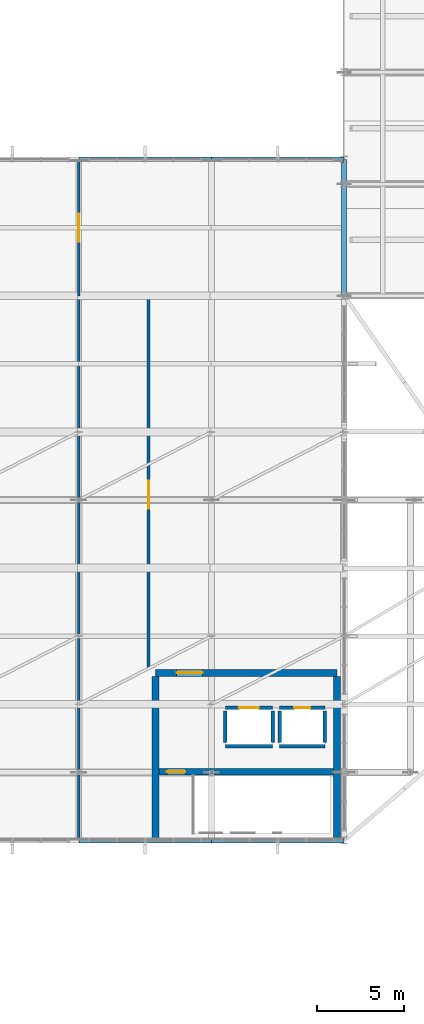
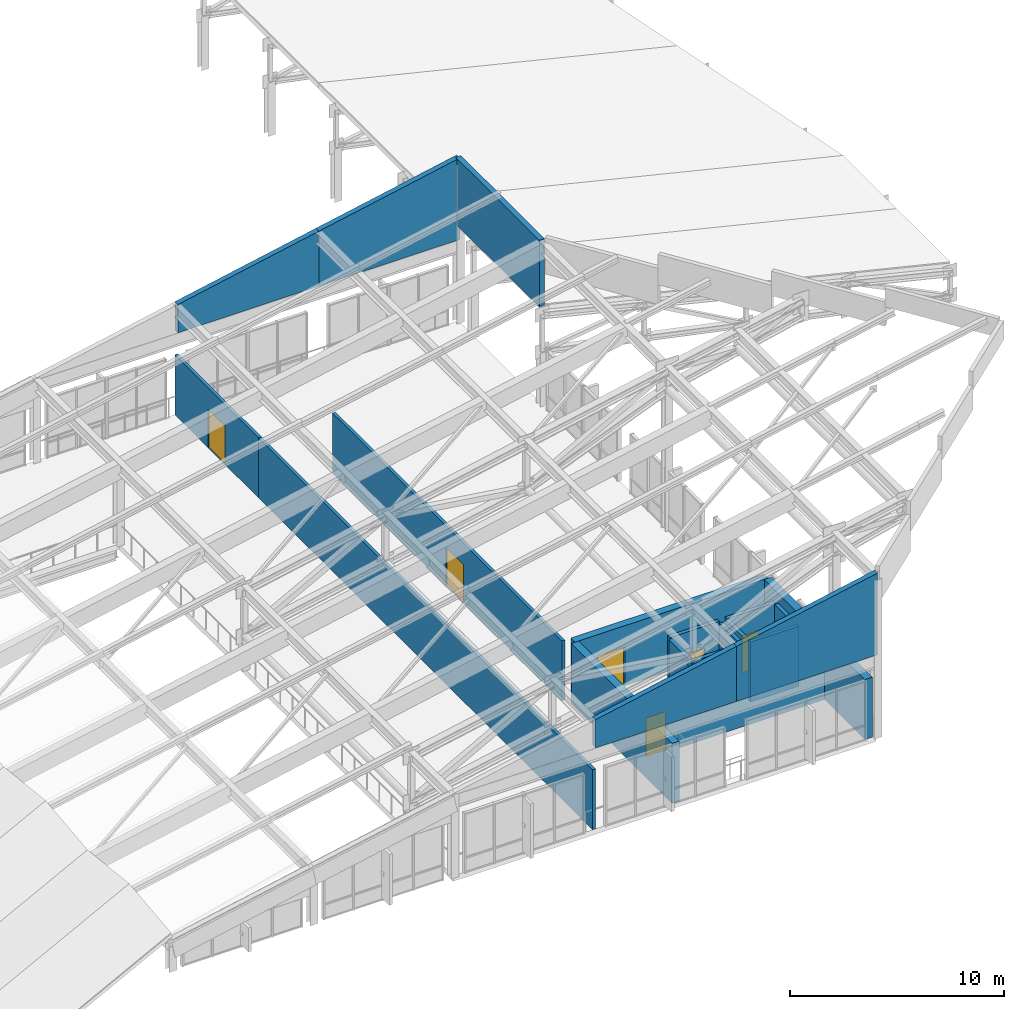
# One storey, part 55 of 73: 20 walls, 6 doors, 6 openings.
"""IFC4 building model written with IfcOpenShell, lengths in metres."""

from ifc_helpers import new_model, si_unit, direction, frame, frame_2d, origin, place, context, subcontext, project, spatial, polyline, rectangle, outline, extrude, material, layer, layer_set, type_object, element, fill, save


model = new_model("IFC4")

# Units and contexts
model_context = context("Model", 3, precision=1e-05, world=origin(), true_north=direction((0.0, 1.0)))
body_context = subcontext(model_context, "Body", "Model", "MODEL_VIEW")
ifc_project = project(units=[si_unit("LENGTHUNIT", "METRE"), si_unit("AREAUNIT", "SQUARE_METRE"), si_unit("VOLUMEUNIT", "CUBIC_METRE"), si_unit("PLANEANGLEUNIT", "RADIAN"), si_unit("MASSUNIT", "GRAM", prefix="KILO")], contexts=[model_context])

# Site, building, storey
site_placement = place(None, origin())
site = spatial("IfcSite", under=ifc_project, at=site_placement, CompositionType="ELEMENT")
building_placement = place(site_placement, origin())
building = spatial("IfcBuilding", under=site, at=building_placement, Name="Vervanel Yard Central Library", CompositionType="ELEMENT")
storey_placement = place(building_placement, frame((0.0, 0.0, 12.780029296875)))
storey = spatial("IfcBuildingStorey", under=building, at=storey_placement, Name="L03", CompositionType="ELEMENT", Elevation=12.780029296875)

# Wall
ifc_material_1 = material(Name="Fire-rated gypsum board on steel studs", Category="steel")
ifc_layer_1 = layer(ifc_material_1, 0.159912109375, Category="steel")
ifc_layer_set_1 = layer_set([ifc_layer_1], Name="Fire-rated gypsum board on steel studs")
wall_type_1 = type_object("IfcWallType", Name="Acoustic Glazed Partition 160", PredefinedType="PARTITIONING", material=ifc_layer_set_1)
wall_1_placement = place(storey_placement, frame((130.800048828125, 43.199951171875, 0.0), z_axis=(0.0, 0.0, 1.0), x_axis=(0.0, 1.0, 0.0)))
element("IfcWall", 1, at=wall_1_placement, inside=storey, type_object=wall_type_1, Name="L03 Acoustic Glazed Partition 160 IPART-RC2-L03-V3W", PredefinedType="PARTITIONING", context=body_context, shape_type="SweptSolid", body=[
    extrude(rectangle(XDim=31.199951171875, YDim=0.159912109375, at=frame_2d((15.60009765625, 0.0))), origin(), (0.0, 0.0, 1.0), 3.419921875),
])

# Wall, opening, door
wall_2_placement = place(storey_placement, frame((134.800048828125, 53.0, 0.0), z_axis=(0.0, 0.0, 1.0), x_axis=(0.0, 1.0, 0.0)))
wall_2 = element("IfcWall", 2, at=wall_2_placement, inside=storey, type_object=wall_type_1, Name="L03 Acoustic Glazed Partition 160 IPART-RC2-L03-301E", PredefinedType="PARTITIONING", context=body_context, shape_type="SweptSolid", body=[
    extrude(rectangle(XDim=21.39990234375, YDim=0.159912109375, at=frame_2d((10.699951171875, 0.0))), origin(), (0.0, 0.0, 1.0), 3.419921875),
])
opening_1_placement = place(wall_2_placement, frame((9.199951171875, 0.0, 0.0)))
opening_1 = element("IfcOpeningElement", 3, at=opening_1_placement, cuts=wall_2, Name="Opening DR-04", PredefinedType="OPENING", context=body_context, shape_type="SweptSolid", body=[
    extrude(rectangle(XDim=1.60009765625, YDim=2.199951171875, at=frame_2d((0.800048828125, 1.10009765625))), frame((0.0, 0.08984375, 0.0), z_axis=(0.0, -1.0, 0.0), x_axis=(1.0, 0.0, 0.0)), (0.0, 0.0, 1.0), 0.179931640625),
])
ifc_material_2 = material(Name="Solid white oak acoustic joinery", Category="wood")
door_type_1 = type_object("IfcDoorType", Name="Interior Double Reading Door 1600x2200", OperationType="NOTDEFINED", PredefinedType="DOOR", material=ifc_material_2)
door_1_placement = place(opening_1_placement, origin())
door_1 = element("IfcDoor", 4, at=door_1_placement, inside=storey, type_object=door_type_1, Name="L03 Interior Double Reading Door 1600x2200 IDOOR-IPART-RC2-L03-301E-1", OperationType="DOUBLE_DOOR_SINGLE_SWING", OverallHeight=2.199951171875, OverallWidth=1.60009765625, PredefinedType="DOOR", context=body_context, shape_type="SweptSolid", body=[
    extrude(rectangle(XDim=1.60009765625, YDim=2.199951171875, at=frame_2d((0.800048828125, 1.10009765625))), frame((0.0, 0.02490234375, 0.0), z_axis=(0.0, -1.0, 0.0), x_axis=(1.0, 0.0, 0.0)), (0.0, 0.0, 1.0), 0.050048828125),
])
fill(opening_1, door_1)

wall_3_placement = place(storey_placement, frame((130.800048828125, 74.39990234375, 0.0), z_axis=(0.0, 0.0, 1.0), x_axis=(0.0, 1.0, 0.0)))
wall_3 = element("IfcWall", 5, at=wall_3_placement, inside=storey, type_object=wall_type_1, Name="L03 Acoustic Glazed Partition 160 IPART-RC2-L03-302E", PredefinedType="PARTITIONING", context=body_context, shape_type="SweptSolid", body=[
    extrude(rectangle(XDim=7.800048828125, YDim=0.159912109375, at=frame_2d((3.89990234375, 0.0))), origin(), (0.0, 0.0, 1.0), 3.419921875),
])
opening_2_placement = place(wall_3_placement, frame((3.10009765625, 0.0, 0.0)))
opening_2 = element("IfcOpeningElement", 6, at=opening_2_placement, cuts=wall_3, Name="Opening DR-04", PredefinedType="OPENING", context=body_context, shape_type="SweptSolid", body=[
    extrude(rectangle(XDim=1.60009765625, YDim=2.199951171875, at=frame_2d((0.800048828125, 1.10009765625))), frame((0.0, 0.08984375, 0.0), z_axis=(0.0, -1.0, 0.0), x_axis=(1.0, 0.0, 0.0)), (0.0, 0.0, 1.0), 0.179931640625),
])
door_2_placement = place(opening_2_placement, origin())
door_2 = element("IfcDoor", 7, at=door_2_placement, inside=storey, type_object=door_type_1, Name="L03 Interior Double Reading Door 1600x2200 IDOOR-IPART-RC2-L03-302E-1", OperationType="DOUBLE_DOOR_SINGLE_SWING", OverallHeight=2.199951171875, OverallWidth=1.60009765625, PredefinedType="DOOR", context=body_context, shape_type="SweptSolid", body=[
    extrude(rectangle(XDim=1.60009765625, YDim=2.199951171875, at=frame_2d((0.800048828125, 1.10009765625))), frame((0.0, 0.02490234375, 0.0), z_axis=(0.0, -1.0, 0.0), x_axis=(1.0, 0.0, 0.0)), (0.0, 0.0, 1.0), 0.050048828125),
])
fill(opening_2, door_2)

# Walls
ifc_material_3 = material(Name="Concrete C40/50", Category="concrete")
ifc_layer_2 = layer(ifc_material_3, 0.280029296875, Category="concrete")
ifc_layer_set_2 = layer_set([ifc_layer_2], Name="Concrete C40/50")
wall_type_2 = type_object("IfcWallType", Name="Board-Marked Concrete Spandrel Wall 280", PredefinedType="SOLIDWALL", material=ifc_layer_set_2)
wall_4_placement = place(storey_placement, frame((130.800048828125, 43.199951171875, 4.714111328125), z_axis=(0.0, 0.0, 1.0), x_axis=(1.0, 0.0, 0.0)))
element("IfcWall", 8, at=wall_4_placement, inside=storey, type_object=wall_type_2, Name="L03 Board-Marked Concrete Spandrel Wall 280 EWALL-L03-0168", PredefinedType="SOLIDWALL", context=body_context, shape_type="SweptSolid", body=[
    extrude(outline(polyline([(0.0, 0.0), (7.599853515625, 0.0), (7.60009765625, 3.134033203125), (0.0, 1.616943359375), (0.0, 0.0)])), frame((0.0, 0.14013671875, 0.0), z_axis=(0.0, -1.0, 0.0), x_axis=(1.0, 0.0, 0.0)), (0.0, 0.0, 1.0), 0.280029296875),
])
wall_5_placement = place(storey_placement, frame((138.39990234375, 43.199951171875, 4.714111328125), z_axis=(0.0, 0.0, 1.0), x_axis=(1.0, 0.0, 0.0)))
element("IfcWall", 9, at=wall_5_placement, inside=storey, type_object=wall_type_2, Name="L03 Board-Marked Concrete Spandrel Wall 280 EWALL-L03-0169", PredefinedType="SOLIDWALL", context=body_context, shape_type="SweptSolid", body=[
    extrude(outline(polyline([(0.0, 0.0), (7.60009765625, 0.0), (7.60009765625, 4.651123046875), (0.0, 3.134033203125), (0.0, 0.0)])), frame((0.0, 0.14013671875, 0.0), z_axis=(0.0, -1.0, 0.0), x_axis=(1.0, 0.0, 0.0)), (0.0, 0.0, 1.0), 0.280029296875),
])
wall_6_placement = place(storey_placement, frame((130.800048828125, 82.199951171875, 4.714111328125), z_axis=(0.0, 0.0, 1.0), x_axis=(1.0, 0.0, 0.0)))
element("IfcWall", 10, at=wall_6_placement, inside=storey, type_object=wall_type_2, Name="L03 Board-Marked Concrete Spandrel Wall 280 EWALL-L03-0174", PredefinedType="SOLIDWALL", context=body_context, shape_type="SweptSolid", body=[
    extrude(outline(polyline([(0.0, 0.0), (7.599853515625, 0.0), (7.60009765625, 3.134033203125), (0.0, 1.616943359375), (0.0, 0.0)])), frame((0.0, 0.14013671875, 0.0), z_axis=(0.0, -1.0, 0.0), x_axis=(1.0, 0.0, 0.0)), (0.0, 0.0, 1.0), 0.280029296875),
])
wall_7_placement = place(storey_placement, frame((138.39990234375, 82.199951171875, 4.714111328125), z_axis=(0.0, 0.0, 1.0), x_axis=(1.0, 0.0, 0.0)))
element("IfcWall", 11, at=wall_7_placement, inside=storey, type_object=wall_type_2, Name="L03 Board-Marked Concrete Spandrel Wall 280 EWALL-L03-0175", PredefinedType="SOLIDWALL", context=body_context, shape_type="SweptSolid", body=[
    extrude(outline(polyline([(0.0, 0.0), (7.60009765625, 0.0), (7.60009765625, 4.651123046875), (0.0, 3.134033203125), (0.0, 0.0)])), frame((0.0, 0.14013671875, 0.0), z_axis=(0.0, -1.0, 0.0), x_axis=(1.0, 0.0, 0.0)), (0.0, 0.0, 1.0), 0.280029296875),
])
wall_8_placement = place(storey_placement, frame((146.0, 74.39990234375, 5.570068359375), z_axis=(0.0, 0.0, 1.0), x_axis=(0.0, 1.0, 0.0)))
element("IfcWall", 12, at=wall_8_placement, inside=storey, type_object=wall_type_2, Name="L03 Board-Marked Concrete Spandrel Wall 280 EWALL-L03-0177", PredefinedType="SOLIDWALL", context=body_context, shape_type="SweptSolid", body=[
    extrude(rectangle(XDim=7.800048828125, YDim=0.280029296875, at=frame_2d((3.89990234375, 0.0))), origin(), (0.0, 0.0, 1.0), 3.795166015625),
])

# Wall, opening, door
ifc_material_4 = material(Name="Concrete C45/55", Category="concrete")
ifc_layer_3 = layer(ifc_material_4, 0.39990234375, Category="concrete")
ifc_layer_set_3 = layer_set([ifc_layer_3], Name="Concrete C45/55")
wall_type_3 = type_object("IfcWallType", Name="Core Primary Shear Wall 400", PredefinedType="SHEAR", material=ifc_layer_set_3)
wall_9_placement = place(storey_placement, frame((135.199951171875, 52.800048828125, 0.0), z_axis=(0.0, 0.0, 1.0), x_axis=(1.0, 0.0, 0.0)))
wall_9 = element("IfcWall", 13, at=wall_9_placement, inside=storey, type_object=wall_type_3, Name="L03 CORE-E Shear Wall N", PredefinedType="SHEAR", context=body_context, shape_type="SweptSolid", body=[
    extrude(rectangle(XDim=10.400146484375, YDim=0.39990234375, at=frame_2d((5.2001953125, 0.0))), origin(), (0.0, 0.0, 1.0), 3.419921875),
])
opening_3_placement = place(wall_9_placement, frame((1.199951171875, 0.0, 0.0)))
opening_3 = element("IfcOpeningElement", 14, at=opening_3_placement, cuts=wall_9, Name="Opening DR-F02", PredefinedType="OPENING", context=body_context, shape_type="SweptSolid", body=[
    extrude(rectangle(XDim=1.5, YDim=2.199951171875, at=frame_2d((0.75, 1.10009765625))), frame((0.0, 0.2099609375, 0.0), z_axis=(0.0, -1.0, 0.0), x_axis=(1.0, 0.0, 0.0)), (0.0, 0.0, 1.0), 0.419921875),
])
ifc_material_5 = material(Name="Galvanized painted steelwork ASTM A500 Grade C", Category="steel")
door_type_2 = type_object("IfcDoorType", Name="Fire-Rated Lobby Door 1500x2200", OperationType="NOTDEFINED", PredefinedType="DOOR", material=ifc_material_5)
door_3_placement = place(opening_3_placement, origin())
door_3 = element("IfcDoor", 15, at=door_3_placement, inside=storey, type_object=door_type_2, Name="L03 CORE-E Lobby Fire Door", OperationType="DOUBLE_DOOR_SINGLE_SWING", OverallHeight=2.199951171875, OverallWidth=1.5, PredefinedType="DOOR", context=body_context, shape_type="SweptSolid", body=[
    extrude(rectangle(XDim=1.5, YDim=2.199951171875, at=frame_2d((0.75, 1.10009765625))), frame((0.0, 0.02490234375, 0.0), z_axis=(0.0, -1.0, 0.0), x_axis=(1.0, 0.0, 0.0)), (0.0, 0.0, 1.0), 0.050048828125),
])
fill(opening_3, door_3)

# Walls
for number, where, z_axis, x_axis, name in (
    (16, (135.199951171875, 43.199951171875, 0.0), (0.0, 0.0, 1.0), (0.0, 1.0, 0.0), "L03 CORE-E Shear Wall W"),
    (17, (145.60009765625, 43.199951171875, 0.0), (0.0, 0.0, 1.0), (0.0, 1.0, 0.0), "L03 CORE-E Shear Wall E"),
):
    element("IfcWall", number, at=place(storey_placement, frame(where, z_axis=z_axis, x_axis=x_axis)), inside=storey, type_object=wall_type_3, Name=name, PredefinedType="SHEAR", context=body_context, shape_type="SweptSolid", body=[
        extrude(rectangle(XDim=9.400146484375, YDim=0.39990234375, at=frame_2d((4.7001953125, 0.0))), origin(), (0.0, 0.0, 1.0), 3.419921875),
    ])

# Wall, opening, door
ifc_layer_4 = layer(ifc_material_4, 0.35009765625, Category="concrete")
ifc_layer_set_4 = layer_set([ifc_layer_4], Name="Concrete C45/55")
wall_type_4 = type_object("IfcWallType", Name="Core Secondary Shear Wall 350", PredefinedType="SHEAR", material=ifc_layer_set_4)
wall_10_placement = place(storey_placement, frame((135.39990234375, 47.135009765625, 0.0), z_axis=(0.0, 0.0, 1.0), x_axis=(1.0, 0.0, 0.0)))
wall_10 = element("IfcWall", 18, at=wall_10_placement, inside=storey, type_object=wall_type_4, Name="L03 CORE-E Stair Shaft Wall", PredefinedType="SHEAR", context=body_context, shape_type="SweptSolid", body=[
    extrude(rectangle(XDim=10.0, YDim=0.35009765625, at=frame_2d((5.0, 0.0))), origin(), (0.0, 0.0, 1.0), 3.419921875),
])
opening_4_placement = place(wall_10_placement, frame((0.449951171875, 0.0, 0.0)))
opening_4 = element("IfcOpeningElement", 19, at=opening_4_placement, cuts=wall_10, Name="Opening DR-F01", PredefinedType="OPENING", context=body_context, shape_type="SweptSolid", body=[
    extrude(rectangle(XDim=1.050048828125, YDim=2.199951171875, at=frame_2d((0.52490234375, 1.10009765625))), frame((0.0, 0.18505859375, 0.0), z_axis=(0.0, -1.0, 0.0), x_axis=(1.0, 0.0, 0.0)), (0.0, 0.0, 1.0), 0.3701171875),
])
door_type_3 = type_object("IfcDoorType", Name="Fire-Rated Stair Exit Door 1050x2200", OperationType="NOTDEFINED", PredefinedType="DOOR", material=ifc_material_5)
door_4_placement = place(opening_4_placement, origin())
door_4 = element("IfcDoor", 20, at=door_4_placement, inside=storey, type_object=door_type_3, Name="L03 CORE-E Stair Door", OperationType="SINGLE_SWING_RIGHT", OverallHeight=2.199951171875, OverallWidth=1.050048828125, PredefinedType="DOOR", context=body_context, shape_type="SweptSolid", body=[
    extrude(rectangle(XDim=1.050048828125, YDim=2.199951171875, at=frame_2d((0.52490234375, 1.10009765625))), frame((0.0, 0.02490234375, 0.0), z_axis=(0.0, -1.0, 0.0), x_axis=(1.0, 0.0, 0.0)), (0.0, 0.0, 1.0), 0.050048828125),
])
fill(opening_4, door_4)

# Wall
ifc_layer_5 = layer(ifc_material_3, 0.199951171875, Category="concrete")
ifc_layer_set_5 = layer_set([ifc_layer_5], Name="Concrete C40/50")
wall_type_5 = type_object("IfcWallType", Name="Shaft & Plant Rated Wall 200", PredefinedType="PARTITIONING", material=ifc_layer_set_5)
wall_11_placement = place(storey_placement, frame((139.199951171875, 48.60009765625, 0.0), z_axis=(0.0, 0.0, 1.0), x_axis=(1.0, 0.0, 0.0)))
element("IfcWall", 21, at=wall_11_placement, inside=storey, type_object=wall_type_5, Name="L03 CORE-E-L03-EL-05 Shaft Wall S", PredefinedType="PARTITIONING", context=body_context, shape_type="SweptSolid", body=[
    extrude(rectangle(XDim=2.699951171875, YDim=0.199951171875, at=frame_2d((1.35009765625, 0.0))), origin(), (0.0, 0.0, 1.0), 3.419921875),
])

# Wall, opening, door
wall_12_placement = place(storey_placement, frame((139.199951171875, 50.800048828125, 0.0), z_axis=(0.0, 0.0, 1.0), x_axis=(1.0, 0.0, 0.0)))
wall_12 = element("IfcWall", 22, at=wall_12_placement, inside=storey, type_object=wall_type_5, Name="L03 CORE-E-L03-EL-05 Shaft Wall N", PredefinedType="PARTITIONING", context=body_context, shape_type="SweptSolid", body=[
    extrude(rectangle(XDim=2.699951171875, YDim=0.199951171875, at=frame_2d((1.35009765625, 0.0))), origin(), (0.0, 0.0, 1.0), 3.419921875),
])
opening_5_placement = place(wall_12_placement, frame((0.800048828125, 0.0, 0.0)))
opening_5 = element("IfcOpeningElement", 23, at=opening_5_placement, cuts=wall_12, Name="Opening LD-01", PredefinedType="OPENING", context=body_context, shape_type="SweptSolid", body=[
    extrude(rectangle(XDim=1.10009765625, YDim=2.14990234375, at=frame_2d((0.550048828125, 1.074951171875))), frame((0.0, 0.10986328125, 0.0), z_axis=(0.0, -1.0, 0.0), x_axis=(1.0, 0.0, 0.0)), (0.0, 0.0, 1.0), 0.219970703125),
])
ifc_material_6 = material(Name="Brushed stainless steel AISI 316", Category="steel")
door_type_4 = type_object("IfcDoorType", Name="Passenger Lift Sliding Landing Door 1100x2150", OperationType="NOTDEFINED", PredefinedType="DOOR", material=ifc_material_6)
door_5_placement = place(opening_5_placement, origin())
door_5 = element("IfcDoor", 24, at=door_5_placement, inside=storey, type_object=door_type_4, Name="L03 Lift EL-05 Landing Door", OperationType="SLIDING_TO_LEFT", OverallHeight=2.14990234375, OverallWidth=1.10009765625, PredefinedType="DOOR", context=body_context, shape_type="SweptSolid", body=[
    extrude(rectangle(XDim=1.10009765625, YDim=2.14990234375, at=frame_2d((0.550048828125, 1.074951171875))), frame((0.0, 0.02490234375, 0.0), z_axis=(0.0, -1.0, 0.0), x_axis=(1.0, 0.0, 0.0)), (0.0, 0.0, 1.0), 0.050048828125),
])
fill(opening_5, door_5)

# Walls
for number, where, z_axis, x_axis, name in (
    (25, (139.199951171875, 48.800048828125, 0.0), (0.0, 0.0, 1.0), (0.0, 1.0, 0.0), "L03 CORE-E-L03-EL-05 Shaft Wall W"),
    (26, (141.89990234375, 48.800048828125, 0.0), (0.0, 0.0, 1.0), (0.0, 1.0, 0.0), "L03 CORE-E-L03-EL-05 Shaft Wall E"),
):
    element("IfcWall", number, at=place(storey_placement, frame(where, z_axis=z_axis, x_axis=x_axis)), inside=storey, type_object=wall_type_5, Name=name, PredefinedType="PARTITIONING", context=body_context, shape_type="SweptSolid", body=[
        extrude(rectangle(XDim=1.800048828125, YDim=0.199951171875, at=frame_2d((0.89990234375, 0.0))), origin(), (0.0, 0.0, 1.0), 3.419921875),
    ])
wall_13_placement = place(storey_placement, frame((142.300048828125, 48.60009765625, 0.0), z_axis=(0.0, 0.0, 1.0), x_axis=(1.0, 0.0, 0.0)))
element("IfcWall", 27, at=wall_13_placement, inside=storey, type_object=wall_type_5, Name="L03 CORE-E-L03-RIS Shaft Wall S", PredefinedType="PARTITIONING", context=body_context, shape_type="SweptSolid", body=[
    extrude(rectangle(XDim=2.599853515625, YDim=0.199951171875, at=frame_2d((1.2998046875, 0.0))), origin(), (0.0, 0.0, 1.0), 3.419921875),
])

# Wall, opening, door
wall_14_placement = place(storey_placement, frame((142.300048828125, 50.800048828125, 0.0), z_axis=(0.0, 0.0, 1.0), x_axis=(1.0, 0.0, 0.0)))
wall_14 = element("IfcWall", 28, at=wall_14_placement, inside=storey, type_object=wall_type_5, Name="L03 CORE-E-L03-RIS Shaft Wall N", PredefinedType="PARTITIONING", context=body_context, shape_type="SweptSolid", body=[
    extrude(rectangle(XDim=2.599853515625, YDim=0.199951171875, at=frame_2d((1.2998046875, 0.0))), origin(), (0.0, 0.0, 1.0), 3.419921875),
])
opening_6_placement = place(wall_14_placement, frame((0.85009765625, 0.0, 0.0)))
opening_6 = element("IfcOpeningElement", 29, at=opening_6_placement, cuts=wall_14, Name="Opening DR-03", PredefinedType="OPENING", context=body_context, shape_type="SweptSolid", body=[
    extrude(rectangle(XDim=0.89990234375, YDim=2.10009765625, at=frame_2d((0.449951171875, 1.050048828125))), frame((0.0, 0.10986328125, 0.0), z_axis=(0.0, -1.0, 0.0), x_axis=(1.0, 0.0, 0.0)), (0.0, 0.0, 1.0), 0.219970703125),
])
door_type_5 = type_object("IfcDoorType", Name="Interior Riser Access Door 900x2100", OperationType="NOTDEFINED", PredefinedType="DOOR", material=ifc_material_5)
door_6_placement = place(opening_6_placement, origin())
door_6 = element("IfcDoor", 30, at=door_6_placement, inside=storey, type_object=door_type_5, Name="L03 CORE-E Riser Access Door", OperationType="SINGLE_SWING_LEFT", OverallHeight=2.10009765625, OverallWidth=0.89990234375, PredefinedType="DOOR", context=body_context, shape_type="SweptSolid", body=[
    extrude(rectangle(XDim=0.89990234375, YDim=2.10009765625, at=frame_2d((0.449951171875, 1.050048828125))), frame((0.0, 0.02490234375, 0.0), z_axis=(0.0, -1.0, 0.0), x_axis=(1.0, 0.0, 0.0)), (0.0, 0.0, 1.0), 0.050048828125),
])
fill(opening_6, door_6)

# Walls
for number, where, z_axis, x_axis, name in (
    (31, (142.300048828125, 48.800048828125, 0.0), (0.0, 0.0, 1.0), (0.0, 1.0, 0.0), "L03 CORE-E-L03-RIS Shaft Wall W"),
    (32, (144.89990234375, 48.800048828125, 0.0), (0.0, 0.0, 1.0), (0.0, 1.0, 0.0), "L03 CORE-E-L03-RIS Shaft Wall E"),
):
    element("IfcWall", number, at=place(storey_placement, frame(where, z_axis=z_axis, x_axis=x_axis)), inside=storey, type_object=wall_type_5, Name=name, PredefinedType="PARTITIONING", context=body_context, shape_type="SweptSolid", body=[
        extrude(rectangle(XDim=1.800048828125, YDim=0.199951171875, at=frame_2d((0.89990234375, 0.0))), origin(), (0.0, 0.0, 1.0), 3.419921875),
    ])

save(model, "model.ifc")
